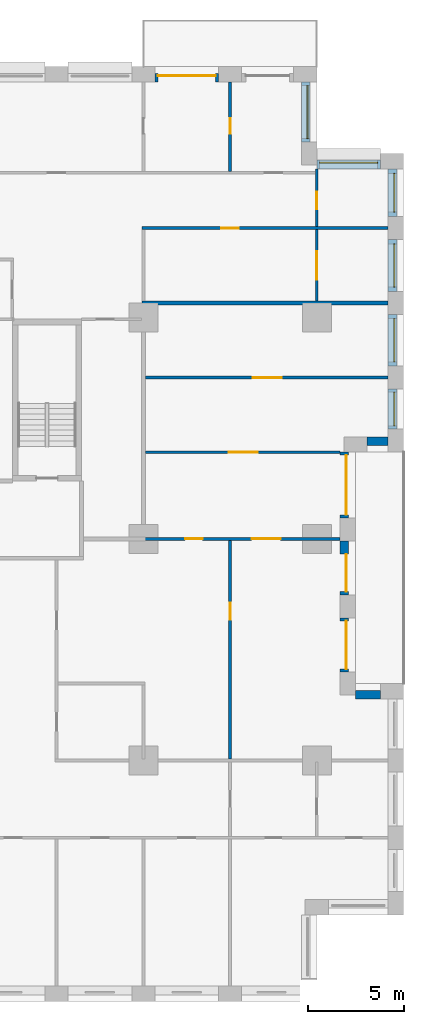
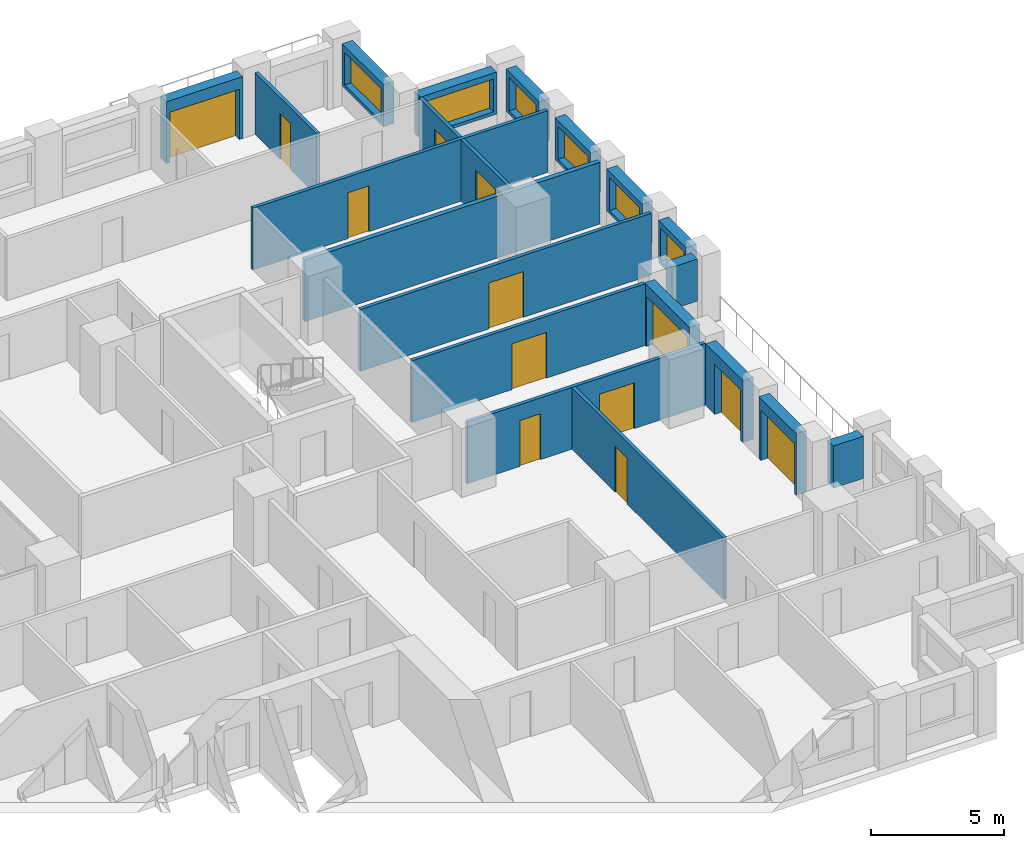
# One storey, part 17 of 20: 21 walls, 13 doors, 6 windows, 19 openings.
"""IFC4 building model written with IfcOpenShell, lengths in metres."""

from ifc_helpers import new_model, si_unit, direction, frame, frame_2d, origin, place, context, subcontext, project, spatial, rectangle, extrude, material, layer, layer_set, type_object, element, fill, save


model = new_model("IFC4")

# Units and contexts
model_context = context("Model", 3, precision=1e-05, world=origin(), true_north=direction((0.0, 1.0)))
body_context = subcontext(model_context, "Body", "Model", "MODEL_VIEW")
ifc_project = project(units=[si_unit("LENGTHUNIT", "METRE"), si_unit("AREAUNIT", "SQUARE_METRE"), si_unit("VOLUMEUNIT", "CUBIC_METRE"), si_unit("PLANEANGLEUNIT", "RADIAN"), si_unit("MASSUNIT", "GRAM", prefix="KILO")], contexts=[model_context])

# Site, building, storey
site_placement = place(None, origin())
site = spatial("IfcSite", under=ifc_project, at=site_placement, CompositionType="ELEMENT")
building_placement = place(site_placement, origin())
building = spatial("IfcBuilding", under=site, at=building_placement, Name="Brigalow Station Residences", CompositionType="ELEMENT")
storey_placement = place(building_placement, frame((0.0, 0.0, 60.449951171875)))
storey = spatial("IfcBuildingStorey", under=building, at=storey_placement, Name="L17", CompositionType="ELEMENT", Elevation=60.449951171875)

# Wall
ifc_material_1 = material(Name="Clay brick masonry", Category="masonry")
ifc_layer_1 = layer(ifc_material_1, 0.449951171875)
ifc_layer_set_1 = layer_set([ifc_layer_1], Name="BRICK INFILL WALL 450")
wall_type_1 = type_object("IfcWallType", Name="BRICK INFILL WALL 450", PredefinedType="SOLIDWALL", material=ifc_layer_set_1)
wall_1_placement = place(storey_placement, frame((75.300048828125, 15.925048828125, 0.900146484375), z_axis=(0.0, 0.0, 1.0), x_axis=(-1.0, 0.0, 0.0)))
element("IfcWall", 1, at=wall_1_placement, inside=storey, type_object=wall_type_1, Name="L17/ewall/W-L17-14", PredefinedType="SOLIDWALL", context=body_context, shape_type="SweptSolid", body=[
    extrude(rectangle(XDim=1.300048828125, YDim=0.449951171875, at=frame_2d((0.64990234375, 0.0))), origin(), (0.0, 0.0, 1.0), 1.929931640625),
])

# Wall, opening, door
wall_2_placement = place(storey_placement, frame((73.425048828125, 17.10009765625, 0.0), z_axis=(0.0, 0.0, 1.0), x_axis=(0.0, 1.0, 0.0)))
wall_2 = element("IfcWall", 2, at=wall_2_placement, inside=storey, type_object=wall_type_1, Name="L17/ewall/W-L17-15", PredefinedType="SOLIDWALL", context=body_context, shape_type="SweptSolid", body=[
    extrude(rectangle(XDim=2.7998046875, YDim=0.449951171875, at=frame_2d((1.39990234375, 0.0))), origin(), (0.0, 0.0, 1.0), 2.830078125),
])
opening_1_placement = place(wall_2_placement, frame((0.14990234375, 0.0, 0.0)))
opening_1 = element("IfcOpeningElement", 3, at=opening_1_placement, cuts=wall_2, Name="Opening D-B2500", PredefinedType="OPENING", context=body_context, shape_type="SweptSolid", body=[
    extrude(rectangle(XDim=2.5, YDim=2.300048828125, at=frame_2d((1.25, 1.14990234375))), frame((0.0, 0.23486328125, 0.0), z_axis=(0.0, -1.0, 0.0), x_axis=(1.0, 0.0, 0.0)), (0.0, 0.0, 1.0), 0.469970703125),
])
ifc_material_2 = material(Name="Anodised aluminium frame with double glazing", Category="aluminium")
door_type_1 = type_object("IfcDoorType", Name="BALCONY SLIDING DOOR 2500x2300", OperationType="SLIDING_TO_LEFT", PredefinedType="DOOR", material=ifc_material_2)
door_1_placement = place(opening_1_placement, origin())
door_1 = element("IfcDoor", 4, at=door_1_placement, inside=storey, type_object=door_type_1, Name="L17/balcony-door/W-L17-15", OperationType="SLIDING_TO_LEFT", OverallHeight=2.300048828125, OverallWidth=2.5, PredefinedType="DOOR", context=body_context, shape_type="SweptSolid", body=[
    extrude(rectangle(XDim=2.5, YDim=2.300048828125, at=frame_2d((1.25, 1.14990234375))), frame((0.0, -0.06982421875, 0.0), z_axis=(0.0, -1.0, 0.0), x_axis=(1.0, 0.0, 0.0)), (0.0, 0.0, 1.0), 0.050048828125),
])
fill(opening_1, door_1)

wall_3_placement = place(storey_placement, frame((73.425048828125, 21.10009765625, 0.0), z_axis=(0.0, 0.0, 1.0), x_axis=(0.0, 1.0, 0.0)))
wall_3 = element("IfcWall", 5, at=wall_3_placement, inside=storey, type_object=wall_type_1, Name="L17/ewall/W-L17-16", PredefinedType="SOLIDWALL", context=body_context, shape_type="SweptSolid", body=[
    extrude(rectangle(XDim=2.7998046875, YDim=0.449951171875, at=frame_2d((1.39990234375, 0.0))), origin(), (0.0, 0.0, 1.0), 2.830078125),
])
opening_2_placement = place(wall_3_placement, frame((0.1650390625, 0.0, 0.0)))
opening_2 = element("IfcOpeningElement", 6, at=opening_2_placement, cuts=wall_3, Name="Opening D-B1950", PredefinedType="OPENING", context=body_context, shape_type="SweptSolid", body=[
    extrude(rectangle(XDim=1.949951171875, YDim=2.300048828125, at=frame_2d((0.97509765625, 1.14990234375))), frame((0.0, 0.23486328125, 0.0), z_axis=(0.0, -1.0, 0.0), x_axis=(1.0, 0.0, 0.0)), (0.0, 0.0, 1.0), 0.469970703125),
])
ifc_material_3 = material(Name="Anodised aluminium frame with double glazing", Category="aluminium")
door_type_2 = type_object("IfcDoorType", Name="BALCONY SLIDING DOOR 1950x2300", OperationType="SLIDING_TO_LEFT", PredefinedType="DOOR", material=ifc_material_3)
door_2_placement = place(opening_2_placement, origin())
door_2 = element("IfcDoor", 7, at=door_2_placement, inside=storey, type_object=door_type_2, Name="L17/balcony-door/W-L17-16", OperationType="SLIDING_TO_LEFT", OverallHeight=2.300048828125, OverallWidth=1.949951171875, PredefinedType="DOOR", context=body_context, shape_type="SweptSolid", body=[
    extrude(rectangle(XDim=1.949951171875, YDim=2.300048828125, at=frame_2d((0.97509765625, 1.14990234375))), frame((0.0, -0.06982421875, 0.0), z_axis=(0.0, -1.0, 0.0), x_axis=(1.0, 0.0, 0.0)), (0.0, 0.0, 1.0), 0.050048828125),
])
fill(opening_2, door_2)

wall_4_placement = place(storey_placement, frame((73.425048828125, 25.10009765625, 0.0), z_axis=(0.0, 0.0, 1.0), x_axis=(0.0, 1.0, 0.0)))
wall_4 = element("IfcWall", 8, at=wall_4_placement, inside=storey, type_object=wall_type_1, Name="L17/ewall/W-L17-17", PredefinedType="SOLIDWALL", context=body_context, shape_type="SweptSolid", body=[
    extrude(rectangle(XDim=3.39990234375, YDim=0.449951171875, at=frame_2d((1.699951171875, 0.0))), origin(), (0.0, 0.0, 1.0), 2.830078125),
])
opening_3_placement = place(wall_4_placement, frame((0.14990234375, 0.0, 0.0)))
opening_3 = element("IfcOpeningElement", 9, at=opening_3_placement, cuts=wall_4, Name="Opening D-B3100", PredefinedType="OPENING", context=body_context, shape_type="SweptSolid", body=[
    extrude(rectangle(XDim=3.10009765625, YDim=2.300048828125, at=frame_2d((1.550048828125, 1.14990234375))), frame((0.0, 0.23486328125, 0.0), z_axis=(0.0, -1.0, 0.0), x_axis=(1.0, 0.0, 0.0)), (0.0, 0.0, 1.0), 0.469970703125),
])
ifc_material_4 = material(Name="Anodised aluminium frame with double glazing", Category="aluminium")
door_type_3 = type_object("IfcDoorType", Name="BALCONY SLIDING DOOR 3100x2300", OperationType="SLIDING_TO_LEFT", PredefinedType="DOOR", material=ifc_material_4)
door_3_placement = place(opening_3_placement, origin())
door_3 = element("IfcDoor", 10, at=door_3_placement, inside=storey, type_object=door_type_3, Name="L17/balcony-door/W-L17-17", OperationType="SLIDING_TO_LEFT", OverallHeight=2.300048828125, OverallWidth=3.10009765625, PredefinedType="DOOR", context=body_context, shape_type="SweptSolid", body=[
    extrude(rectangle(XDim=3.10009765625, YDim=2.300048828125, at=frame_2d((1.550048828125, 1.14990234375))), frame((0.0, -0.06982421875, 0.0), z_axis=(0.0, -1.0, 0.0), x_axis=(1.0, 0.0, 0.0)), (0.0, 0.0, 1.0), 0.050048828125),
])
fill(opening_3, door_3)

# Wall
wall_5_placement = place(storey_placement, frame((74.60009765625, 29.074951171875, 0.900146484375), z_axis=(0.0, 0.0, 1.0), x_axis=(1.0, 0.0, 0.0)))
element("IfcWall", 11, at=wall_5_placement, inside=storey, type_object=wall_type_1, Name="L17/ewall/W-L17-18", PredefinedType="SOLIDWALL", context=body_context, shape_type="SweptSolid", body=[
    extrude(rectangle(XDim=1.099853515625, YDim=0.449951171875, at=frame_2d((0.5498046875, 0.0))), origin(), (0.0, 0.0, 1.0), 1.929931640625),
])

# Wall, opening, window
wall_6_placement = place(storey_placement, frame((75.925048828125, 29.699951171875, 0.900146484375), z_axis=(0.0, 0.0, 1.0), x_axis=(0.0, 1.0, 0.0)))
wall_6 = element("IfcWall", 12, at=wall_6_placement, inside=storey, type_object=wall_type_1, Name="L17/ewall/W-L17-19", PredefinedType="SOLIDWALL", context=body_context, shape_type="SweptSolid", body=[
    extrude(rectangle(XDim=2.074951171875, YDim=0.449951171875, at=frame_2d((1.03759765625, 0.0))), origin(), (0.0, 0.0, 1.0), 1.929931640625),
])
opening_4_placement = place(wall_6_placement, frame((0.16259765625, 0.0, 0.14990234375)))
opening_4 = element("IfcOpeningElement", 13, at=opening_4_placement, cuts=wall_6, Name="Opening WT-4", PredefinedType="OPENING", context=body_context, shape_type="SweptSolid", body=[
    extrude(rectangle(XDim=1.75, YDim=1.5, at=frame_2d((0.875, 0.75))), frame((0.0, 0.23486328125, 0.0), z_axis=(0.0, -1.0, 0.0), x_axis=(1.0, 0.0, 0.0)), (0.0, 0.0, 1.0), 0.469970703125),
])
ifc_material_5 = material(Name="Anodised aluminium frame with double glazing", Category="aluminium")
window_type_1 = type_object("IfcWindowType", Name="WINDOW 1750x1500", PartitioningType="SINGLE_PANEL", PredefinedType="WINDOW", material=ifc_material_5)
window_1_placement = place(opening_4_placement, origin())
window_1 = element("IfcWindow", 14, at=window_1_placement, inside=storey, type_object=window_type_1, Name="L17/window/W-L17-19", OverallHeight=1.5, OverallWidth=1.75, PartitioningType="SINGLE_PANEL", PredefinedType="WINDOW", context=body_context, shape_type="SweptSolid", body=[
    extrude(rectangle(XDim=1.75, YDim=1.5, at=frame_2d((0.875, 0.75))), frame((0.0, -0.06494140625, 0.0), z_axis=(0.0, -1.0, 0.0), x_axis=(1.0, 0.0, 0.0)), (0.0, 0.0, 1.0), 0.06005859375),
])
fill(opening_4, window_1)

wall_7_placement = place(storey_placement, frame((75.925048828125, 32.97509765625, 0.900146484375), z_axis=(0.0, 0.0, 1.0), x_axis=(0.0, 1.0, 0.0)))
wall_7 = element("IfcWall", 15, at=wall_7_placement, inside=storey, type_object=wall_type_1, Name="L17/ewall/W-L17-20", PredefinedType="SOLIDWALL", context=body_context, shape_type="SweptSolid", body=[
    extrude(rectangle(XDim=2.6748046875, YDim=0.449951171875, at=frame_2d((1.33740234375, 0.0))), origin(), (0.0, 0.0, 1.0), 1.929931640625),
])
opening_5_placement = place(wall_7_placement, frame((0.21240234375, 0.0, 0.14990234375)))
opening_5 = element("IfcOpeningElement", 16, at=opening_5_placement, cuts=wall_7, Name="Opening WT-6", PredefinedType="OPENING", context=body_context, shape_type="SweptSolid", body=[
    extrude(rectangle(XDim=2.25, YDim=1.5, at=frame_2d((1.125, 0.75))), frame((0.0, 0.23486328125, 0.0), z_axis=(0.0, -1.0, 0.0), x_axis=(1.0, 0.0, 0.0)), (0.0, 0.0, 1.0), 0.469970703125),
])
ifc_material_6 = material(Name="Anodised aluminium frame with double glazing", Category="aluminium")
window_type_2 = type_object("IfcWindowType", Name="WINDOW 2250x1500", PartitioningType="SINGLE_PANEL", PredefinedType="WINDOW", material=ifc_material_6)
window_2_placement = place(opening_5_placement, origin())
window_2 = element("IfcWindow", 17, at=window_2_placement, inside=storey, type_object=window_type_2, Name="L17/window/W-L17-20", OverallHeight=1.5, OverallWidth=2.25, PartitioningType="SINGLE_PANEL", PredefinedType="WINDOW", context=body_context, shape_type="SweptSolid", body=[
    extrude(rectangle(XDim=2.25, YDim=1.5, at=frame_2d((1.125, 0.75))), frame((0.0, -0.06494140625, 0.0), z_axis=(0.0, -1.0, 0.0), x_axis=(1.0, 0.0, 0.0)), (0.0, 0.0, 1.0), 0.06005859375),
])
fill(opening_5, window_2)

wall_8_placement = place(storey_placement, frame((75.925048828125, 36.85009765625, 0.900146484375), z_axis=(0.0, 0.0, 1.0), x_axis=(0.0, 1.0, 0.0)))
wall_8 = element("IfcWall", 18, at=wall_8_placement, inside=storey, type_object=wall_type_1, Name="L17/ewall/W-L17-21", PredefinedType="SOLIDWALL", context=body_context, shape_type="SweptSolid", body=[
    extrude(rectangle(XDim=2.6748046875, YDim=0.449951171875, at=frame_2d((1.33740234375, 0.0))), origin(), (0.0, 0.0, 1.0), 1.929931640625),
])
opening_6_placement = place(wall_8_placement, frame((0.21240234375, 0.0, 0.14990234375)))
opening_6 = element("IfcOpeningElement", 19, at=opening_6_placement, cuts=wall_8, Name="Opening WT-6", PredefinedType="OPENING", context=body_context, shape_type="SweptSolid", body=[
    extrude(rectangle(XDim=2.25, YDim=1.5, at=frame_2d((1.125, 0.75))), frame((0.0, 0.23486328125, 0.0), z_axis=(0.0, -1.0, 0.0), x_axis=(1.0, 0.0, 0.0)), (0.0, 0.0, 1.0), 0.469970703125),
])
window_3_placement = place(opening_6_placement, origin())
window_3 = element("IfcWindow", 20, at=window_3_placement, inside=storey, type_object=window_type_2, Name="L17/window/W-L17-21", OverallHeight=1.5, OverallWidth=2.25, PartitioningType="SINGLE_PANEL", PredefinedType="WINDOW", context=body_context, shape_type="SweptSolid", body=[
    extrude(rectangle(XDim=2.25, YDim=1.5, at=frame_2d((1.125, 0.75))), frame((0.0, -0.06494140625, 0.0), z_axis=(0.0, -1.0, 0.0), x_axis=(1.0, 0.0, 0.0)), (0.0, 0.0, 1.0), 0.06005859375),
])
fill(opening_6, window_3)

wall_9_placement = place(storey_placement, frame((75.925048828125, 40.72509765625, 0.900146484375), z_axis=(0.0, 0.0, 1.0), x_axis=(0.0, 1.0, 0.0)))
wall_9 = element("IfcWall", 21, at=wall_9_placement, inside=storey, type_object=wall_type_1, Name="L17/ewall/W-L17-22", PredefinedType="SOLIDWALL", context=body_context, shape_type="SweptSolid", body=[
    extrude(rectangle(XDim=2.474853515625, YDim=0.449951171875, at=frame_2d((1.2373046875, 0.0))), origin(), (0.0, 0.0, 1.0), 1.929931640625),
])
opening_7_placement = place(wall_9_placement, frame((0.237548828125, 0.0, 0.14990234375)))
opening_7 = element("IfcOpeningElement", 22, at=opening_7_placement, cuts=wall_9, Name="Opening WT-7", PredefinedType="OPENING", context=body_context, shape_type="SweptSolid", body=[
    extrude(rectangle(XDim=2.0, YDim=1.5, at=frame_2d((1.0, 0.75))), frame((0.0, 0.23486328125, 0.0), z_axis=(0.0, -1.0, 0.0), x_axis=(1.0, 0.0, 0.0)), (0.0, 0.0, 1.0), 0.469970703125),
])
ifc_material_7 = material(Name="Anodised aluminium frame with double glazing", Category="aluminium")
window_type_3 = type_object("IfcWindowType", Name="WINDOW 2000x1500", PartitioningType="SINGLE_PANEL", PredefinedType="WINDOW", material=ifc_material_7)
window_4_placement = place(opening_7_placement, origin())
window_4 = element("IfcWindow", 23, at=window_4_placement, inside=storey, type_object=window_type_3, Name="L17/window/W-L17-22", OverallHeight=1.5, OverallWidth=2.0, PartitioningType="SINGLE_PANEL", PredefinedType="WINDOW", context=body_context, shape_type="SweptSolid", body=[
    extrude(rectangle(XDim=2.0, YDim=1.5, at=frame_2d((1.0, 0.75))), frame((0.0, -0.06494140625, 0.0), z_axis=(0.0, -1.0, 0.0), x_axis=(1.0, 0.0, 0.0)), (0.0, 0.0, 1.0), 0.06005859375),
])
fill(opening_7, window_4)

wall_10_placement = place(storey_placement, frame((75.300048828125, 43.425048828125, 0.900146484375), z_axis=(0.0, 0.0, 1.0), x_axis=(-1.0, 0.0, 0.0)))
wall_10 = element("IfcWall", 24, at=wall_10_placement, inside=storey, type_object=wall_type_1, Name="L17/ewall/W-L17-23", PredefinedType="SOLIDWALL", context=body_context, shape_type="SweptSolid", body=[
    extrude(rectangle(XDim=3.300048828125, YDim=0.449951171875, at=frame_2d((1.64990234375, 0.0))), origin(), (0.0, 0.0, 1.0), 1.929931640625),
])
opening_8_placement = place(wall_10_placement, frame((0.14990234375, 0.0, 0.14990234375)))
opening_8 = element("IfcOpeningElement", 25, at=opening_8_placement, cuts=wall_10, Name="Opening WT-2", PredefinedType="OPENING", context=body_context, shape_type="SweptSolid", body=[
    extrude(rectangle(XDim=3.0, YDim=1.5, at=frame_2d((1.5, 0.75))), frame((0.0, 0.23486328125, 0.0), z_axis=(0.0, -1.0, 0.0), x_axis=(1.0, 0.0, 0.0)), (0.0, 0.0, 1.0), 0.469970703125),
])
ifc_material_8 = material(Name="Anodised aluminium frame with double glazing", Category="aluminium")
window_type_4 = type_object("IfcWindowType", Name="WINDOW 3000x1500", PartitioningType="SINGLE_PANEL", PredefinedType="WINDOW", material=ifc_material_8)
window_5_placement = place(opening_8_placement, origin())
window_5 = element("IfcWindow", 26, at=window_5_placement, inside=storey, type_object=window_type_4, Name="L17/window/W-L17-23", OverallHeight=1.5, OverallWidth=3.0, PartitioningType="SINGLE_PANEL", PredefinedType="WINDOW", context=body_context, shape_type="SweptSolid", body=[
    extrude(rectangle(XDim=3.0, YDim=1.5, at=frame_2d((1.5, 0.75))), frame((0.0, -0.06494140625, 0.0), z_axis=(0.0, -1.0, 0.0), x_axis=(1.0, 0.0, 0.0)), (0.0, 0.0, 1.0), 0.06005859375),
])
fill(opening_8, window_5)

wall_11_placement = place(storey_placement, frame((71.425048828125, 44.60009765625, 0.900146484375), z_axis=(0.0, 0.0, 1.0), x_axis=(0.0, 1.0, 0.0)))
wall_11 = element("IfcWall", 27, at=wall_11_placement, inside=storey, type_object=wall_type_1, Name="L17/ewall/W-L17-24", PredefinedType="SOLIDWALL", context=body_context, shape_type="SweptSolid", body=[
    extrude(rectangle(XDim=3.099853515625, YDim=0.449951171875, at=frame_2d((1.5498046875, 0.0))), origin(), (0.0, 0.0, 1.0), 1.929931640625),
])
opening_9_placement = place(wall_11_placement, frame((0.175048828125, 0.0, 0.14990234375)))
opening_9 = element("IfcOpeningElement", 28, at=opening_9_placement, cuts=wall_11, Name="Opening WT-3", PredefinedType="OPENING", context=body_context, shape_type="SweptSolid", body=[
    extrude(rectangle(XDim=2.75, YDim=1.5, at=frame_2d((1.375, 0.75))), frame((0.0, 0.23486328125, 0.0), z_axis=(0.0, -1.0, 0.0), x_axis=(1.0, 0.0, 0.0)), (0.0, 0.0, 1.0), 0.469970703125),
])
ifc_material_9 = material(Name="Anodised aluminium frame with double glazing", Category="aluminium")
window_type_5 = type_object("IfcWindowType", Name="WINDOW 2750x1500", PartitioningType="SINGLE_PANEL", PredefinedType="WINDOW", material=ifc_material_9)
window_6_placement = place(opening_9_placement, origin())
window_6 = element("IfcWindow", 29, at=window_6_placement, inside=storey, type_object=window_type_5, Name="L17/window/W-L17-24", OverallHeight=1.5, OverallWidth=2.75, PartitioningType="SINGLE_PANEL", PredefinedType="WINDOW", context=body_context, shape_type="SweptSolid", body=[
    extrude(rectangle(XDim=2.75, YDim=1.5, at=frame_2d((1.375, 0.75))), frame((0.0, -0.06494140625, 0.0), z_axis=(0.0, -1.0, 0.0), x_axis=(1.0, 0.0, 0.0)), (0.0, 0.0, 1.0), 0.06005859375),
])
fill(opening_9, window_6)

# Wall, opening, door
wall_12_placement = place(storey_placement, frame((66.89990234375, 47.925048828125, 0.0), z_axis=(0.0, 0.0, 1.0), x_axis=(-1.0, 0.0, 0.0)))
wall_12 = element("IfcWall", 30, at=wall_12_placement, inside=storey, type_object=wall_type_1, Name="L17/ewall/W-L17-26", PredefinedType="SOLIDWALL", context=body_context, shape_type="SweptSolid", body=[
    extrude(rectangle(XDim=3.2998046875, YDim=0.449951171875, at=frame_2d((1.64990234375, 0.0))), origin(), (0.0, 0.0, 1.0), 2.830078125),
])
opening_10_placement = place(wall_12_placement, frame((0.14990234375, 0.0, 0.0)))
opening_10 = element("IfcOpeningElement", 31, at=opening_10_placement, cuts=wall_12, Name="Opening D-B3000", PredefinedType="OPENING", context=body_context, shape_type="SweptSolid", body=[
    extrude(rectangle(XDim=3.0, YDim=2.300048828125, at=frame_2d((1.5, 1.14990234375))), frame((0.0, 0.23486328125, 0.0), z_axis=(0.0, -1.0, 0.0), x_axis=(1.0, 0.0, 0.0)), (0.0, 0.0, 1.0), 0.469970703125),
])
ifc_material_10 = material(Name="Anodised aluminium frame with double glazing", Category="aluminium")
door_type_4 = type_object("IfcDoorType", Name="BALCONY SLIDING DOOR 3000x2300", OperationType="SLIDING_TO_LEFT", PredefinedType="DOOR", material=ifc_material_10)
door_4_placement = place(opening_10_placement, origin())
door_4 = element("IfcDoor", 32, at=door_4_placement, inside=storey, type_object=door_type_4, Name="L17/balcony-door/W-L17-26", OperationType="SLIDING_TO_LEFT", OverallHeight=2.300048828125, OverallWidth=3.0, PredefinedType="DOOR", context=body_context, shape_type="SweptSolid", body=[
    extrude(rectangle(XDim=3.0, YDim=2.300048828125, at=frame_2d((1.5, 1.14990234375))), frame((0.0, -0.06982421875, 0.0), z_axis=(0.0, -1.0, 0.0), x_axis=(1.0, 0.0, 0.0)), (0.0, 0.0, 1.0), 0.050048828125),
])
fill(opening_10, door_4)

# Wall, openings, doors
ifc_material_11 = material(Name="Plasterboard on steel stud partition", Category="steel")
ifc_layer_2 = layer(ifc_material_11, 0.14990234375)
ifc_layer_set_2 = layer_set([ifc_layer_2], Name="FLAT PARTITION 150")
wall_type_2 = type_object("IfcWallType", Name="FLAT PARTITION 150", PredefinedType="PARTITIONING", material=ifc_layer_set_2)
wall_13_placement = place(storey_placement, frame((62.89990234375, 24.0, 0.0), z_axis=(0.0, 0.0, 1.0), x_axis=(1.0, 0.0, 0.0)))
wall_13 = element("IfcWall", 33, at=wall_13_placement, inside=storey, type_object=wall_type_2, Name="PW-1F03", PredefinedType="PARTITIONING", context=body_context, shape_type="SweptSolid", body=[
    extrude(rectangle(XDim=10.300048828125, YDim=0.14990234375, at=frame_2d((5.14990234375, 0.0))), origin(), (0.0, 0.0, 1.0), 2.830078125),
])
opening_11_placement = place(wall_13_placement, frame((2.27490234375, 0.0, 0.0)))
opening_11 = element("IfcOpeningElement", 34, at=opening_11_placement, cuts=wall_13, Name="Opening D-1F57", PredefinedType="OPENING", context=body_context, shape_type="SweptSolid", body=[
    extrude(rectangle(XDim=0.89990234375, YDim=2.10009765625, at=frame_2d((0.449951171875, 1.050048828125))), frame((0.0, 0.0849609375, 0.0), z_axis=(0.0, -1.0, 0.0), x_axis=(1.0, 0.0, 0.0)), (0.0, 0.0, 1.0), 0.169921875),
])
opening_12_placement = place(wall_13_placement, frame((5.72509765625, 0.0, 0.0)))
opening_12 = element("IfcOpeningElement", 35, at=opening_12_placement, cuts=wall_13, Name="Opening D-1F58", PredefinedType="OPENING", context=body_context, shape_type="SweptSolid", body=[
    extrude(rectangle(XDim=1.5, YDim=2.10009765625, at=frame_2d((0.75, 1.050048828125))), frame((0.0, 0.0849609375, 0.0), z_axis=(0.0, -1.0, 0.0), x_axis=(1.0, 0.0, 0.0)), (0.0, 0.0, 1.0), 0.169921875),
])
ifc_material_12 = material(Name="Solid-core timber door leaf", Category="wood")
door_type_5 = type_object("IfcDoorType", Name="INTERNAL DOOR 900 x 2100", OperationType="SINGLE_SWING_LEFT", PredefinedType="DOOR", material=ifc_material_12)
door_5_placement = place(opening_11_placement, origin())
door_5 = element("IfcDoor", 36, at=door_5_placement, inside=storey, type_object=door_type_5, Name="D-1F57", OperationType="SINGLE_SWING_LEFT", OverallHeight=2.10009765625, OverallWidth=0.89990234375, PredefinedType="DOOR", context=body_context, shape_type="SweptSolid", body=[
    extrude(rectangle(XDim=0.89990234375, YDim=2.10009765625, at=frame_2d((0.449951171875, 1.050048828125))), frame((0.0, 0.02490234375, 0.0), z_axis=(0.0, -1.0, 0.0), x_axis=(1.0, 0.0, 0.0)), (0.0, 0.0, 1.0), 0.050048828125),
])
fill(opening_11, door_5)
ifc_material_13 = material(Name="Solid-core timber door leaf", Category="wood")
door_type_6 = type_object("IfcDoorType", Name="INTERNAL DOUBLE DOOR 1500 x 2100", OperationType="DOUBLE_DOOR_SINGLE_SWING", PredefinedType="DOOR", material=ifc_material_13)
door_6_placement = place(opening_12_placement, origin())
door_6 = element("IfcDoor", 37, at=door_6_placement, inside=storey, type_object=door_type_6, Name="D-1F58", OperationType="DOUBLE_DOOR_SINGLE_SWING", OverallHeight=2.10009765625, OverallWidth=1.5, PredefinedType="DOOR", context=body_context, shape_type="SweptSolid", body=[
    extrude(rectangle(XDim=1.5, YDim=2.10009765625, at=frame_2d((0.75, 1.050048828125))), frame((0.0, 0.02490234375, 0.0), z_axis=(0.0, -1.0, 0.0), x_axis=(1.0, 0.0, 0.0)), (0.0, 0.0, 1.0), 0.050048828125),
])
fill(opening_12, door_6)

# Wall, opening, door
wall_14_placement = place(storey_placement, frame((63.10009765625, 32.375, 0.0), z_axis=(0.0, 0.0, 1.0), x_axis=(1.0, 0.0, 0.0)))
wall_14 = element("IfcWall", 38, at=wall_14_placement, inside=storey, type_object=wall_type_2, Name="PW-1F19", PredefinedType="PARTITIONING", context=body_context, shape_type="SweptSolid", body=[
    extrude(rectangle(XDim=12.599853515625, YDim=0.14990234375, at=frame_2d((6.2998046875, 0.0))), origin(), (0.0, 0.0, 1.0), 2.830078125),
])
opening_13_placement = place(wall_14_placement, frame((5.574951171875, 0.0, 0.0)))
opening_13 = element("IfcOpeningElement", 39, at=opening_13_placement, cuts=wall_14, Name="Opening D-1F61", PredefinedType="OPENING", context=body_context, shape_type="SweptSolid", body=[
    extrude(rectangle(XDim=1.5, YDim=2.10009765625, at=frame_2d((0.75, 1.050048828125))), frame((0.0, 0.0849609375, 0.0), z_axis=(0.0, -1.0, 0.0), x_axis=(1.0, 0.0, 0.0)), (0.0, 0.0, 1.0), 0.169921875),
])
door_7_placement = place(opening_13_placement, frame((1.5, 0.0, 0.0), z_axis=(0.0, 0.0, 1.0), x_axis=(-1.0, 0.0, 0.0)))
door_7 = element("IfcDoor", 40, at=door_7_placement, inside=storey, type_object=door_type_6, Name="D-1F61", OperationType="DOUBLE_DOOR_SINGLE_SWING", OverallHeight=2.10009765625, OverallWidth=1.5, PredefinedType="DOOR", context=body_context, shape_type="SweptSolid", body=[
    extrude(rectangle(XDim=1.5, YDim=2.10009765625, at=frame_2d((0.75, 1.050048828125))), frame((0.0, 0.02490234375, 0.0), z_axis=(0.0, -1.0, 0.0), x_axis=(1.0, 0.0, 0.0)), (0.0, 0.0, 1.0), 0.050048828125),
])
fill(opening_13, door_7)

wall_15_placement = place(storey_placement, frame((62.925048828125, 40.125, 0.0), z_axis=(0.0, 0.0, 1.0), x_axis=(1.0, 0.0, 0.0)))
wall_15 = element("IfcWall", 41, at=wall_15_placement, inside=storey, type_object=wall_type_2, Name="PW-1F31", PredefinedType="PARTITIONING", context=body_context, shape_type="SweptSolid", body=[
    extrude(rectangle(XDim=12.77490234375, YDim=0.14990234375, at=frame_2d((6.387451171875, 0.0))), origin(), (0.0, 0.0, 1.0), 2.830078125),
])
opening_14_placement = place(wall_15_placement, frame((4.125, 0.0, 0.0)))
opening_14 = element("IfcOpeningElement", 42, at=opening_14_placement, cuts=wall_15, Name="Opening D-1F45", PredefinedType="OPENING", context=body_context, shape_type="SweptSolid", body=[
    extrude(rectangle(XDim=0.89990234375, YDim=2.10009765625, at=frame_2d((0.449951171875, 1.050048828125))), frame((0.0, 0.0849609375, 0.0), z_axis=(0.0, -1.0, 0.0), x_axis=(1.0, 0.0, 0.0)), (0.0, 0.0, 1.0), 0.169921875),
])
door_8_placement = place(opening_14_placement, frame((0.89990234375, 0.0, 0.0), z_axis=(0.0, 0.0, 1.0), x_axis=(-1.0, 0.0, 0.0)))
door_8 = element("IfcDoor", 43, at=door_8_placement, inside=storey, type_object=door_type_5, Name="D-1F45", OperationType="SINGLE_SWING_RIGHT", OverallHeight=2.10009765625, OverallWidth=0.89990234375, PredefinedType="DOOR", context=body_context, shape_type="SweptSolid", body=[
    extrude(rectangle(XDim=0.89990234375, YDim=2.10009765625, at=frame_2d((0.449951171875, 1.050048828125))), frame((0.0, 0.02490234375, 0.0), z_axis=(0.0, -1.0, 0.0), x_axis=(1.0, 0.0, 0.0)), (0.0, 0.0, 1.0), 0.050048828125),
])
fill(opening_14, door_8)

wall_16_placement = place(storey_placement, frame((63.10009765625, 28.5, 0.0), z_axis=(0.0, 0.0, 1.0), x_axis=(1.0, 0.0, 0.0)))
wall_16 = element("IfcWall", 44, at=wall_16_placement, inside=storey, type_object=wall_type_2, Name="PW-1F36", PredefinedType="PARTITIONING", context=body_context, shape_type="SweptSolid", body=[
    extrude(rectangle(XDim=10.099853515625, YDim=0.14990234375, at=frame_2d((5.0498046875, 0.0))), origin(), (0.0, 0.0, 1.0), 2.830078125),
])
opening_15_placement = place(wall_16_placement, frame((4.324951171875, 0.0, 0.0)))
opening_15 = element("IfcOpeningElement", 45, at=opening_15_placement, cuts=wall_16, Name="Opening D-1F56", PredefinedType="OPENING", context=body_context, shape_type="SweptSolid", body=[
    extrude(rectangle(XDim=1.5, YDim=2.10009765625, at=frame_2d((0.75, 1.050048828125))), frame((0.0, 0.0849609375, 0.0), z_axis=(0.0, -1.0, 0.0), x_axis=(1.0, 0.0, 0.0)), (0.0, 0.0, 1.0), 0.169921875),
])
door_9_placement = place(opening_15_placement, frame((1.5, 0.0, 0.0), z_axis=(0.0, 0.0, 1.0), x_axis=(-1.0, 0.0, 0.0)))
door_9 = element("IfcDoor", 46, at=door_9_placement, inside=storey, type_object=door_type_6, Name="D-1F56", OperationType="DOUBLE_DOOR_SINGLE_SWING", OverallHeight=2.10009765625, OverallWidth=1.5, PredefinedType="DOOR", context=body_context, shape_type="SweptSolid", body=[
    extrude(rectangle(XDim=1.5, YDim=2.10009765625, at=frame_2d((0.75, 1.050048828125))), frame((0.0, 0.02490234375, 0.0), z_axis=(0.0, -1.0, 0.0), x_axis=(1.0, 0.0, 0.0)), (0.0, 0.0, 1.0), 0.050048828125),
])
fill(opening_15, door_9)

wall_17_placement = place(storey_placement, frame((72.0, 36.35009765625, 0.0), z_axis=(0.0, 0.0, 1.0), x_axis=(0.0, 1.0, 0.0)))
wall_17 = element("IfcWall", 47, at=wall_17_placement, inside=storey, type_object=wall_type_2, Name="PW-1F76", PredefinedType="PARTITIONING", context=body_context, shape_type="SweptSolid", body=[
    extrude(rectangle(XDim=3.699951171875, YDim=0.14990234375, at=frame_2d((1.85009765625, 0.0))), origin(), (0.0, 0.0, 1.0), 2.830078125),
])
opening_16_placement = place(wall_17_placement, frame((1.087890625, 0.0, 0.0)))
opening_16 = element("IfcOpeningElement", 48, at=opening_16_placement, cuts=wall_17, Name="Opening D-1F50", PredefinedType="OPENING", context=body_context, shape_type="SweptSolid", body=[
    extrude(rectangle(XDim=1.5, YDim=2.10009765625, at=frame_2d((0.75, 1.050048828125))), frame((0.0, 0.0849609375, 0.0), z_axis=(0.0, -1.0, 0.0), x_axis=(1.0, 0.0, 0.0)), (0.0, 0.0, 1.0), 0.169921875),
])
door_10_placement = place(opening_16_placement, frame((1.5, 0.0, 0.0), z_axis=(0.0, 0.0, 1.0), x_axis=(-1.0, 0.0, 0.0)))
door_10 = element("IfcDoor", 49, at=door_10_placement, inside=storey, type_object=door_type_6, Name="D-1F50", OperationType="DOUBLE_DOOR_SINGLE_SWING", OverallHeight=2.10009765625, OverallWidth=1.5, PredefinedType="DOOR", context=body_context, shape_type="SweptSolid", body=[
    extrude(rectangle(XDim=1.5, YDim=2.10009765625, at=frame_2d((0.75, 1.050048828125))), frame((0.0, 0.02490234375, 0.0), z_axis=(0.0, -1.0, 0.0), x_axis=(1.0, 0.0, 0.0)), (0.0, 0.0, 1.0), 0.050048828125),
])
fill(opening_16, door_10)

wall_18_placement = place(storey_placement, frame((72.0, 40.199951171875, 0.0), z_axis=(0.0, 0.0, 1.0), x_axis=(0.0, 1.0, 0.0)))
wall_18 = element("IfcWall", 50, at=wall_18_placement, inside=storey, type_object=wall_type_2, Name="PW-1F77", PredefinedType="PARTITIONING", context=body_context, shape_type="SweptSolid", body=[
    extrude(rectangle(XDim=3.0, YDim=0.14990234375, at=frame_2d((1.5, 0.0))), origin(), (0.0, 0.0, 1.0), 2.830078125),
])
opening_17_placement = place(wall_18_placement, frame((0.912109375, 0.0, 0.0)))
opening_17 = element("IfcOpeningElement", 51, at=opening_17_placement, cuts=wall_18, Name="Opening D-1F46", PredefinedType="OPENING", context=body_context, shape_type="SweptSolid", body=[
    extrude(rectangle(XDim=0.89990234375, YDim=2.10009765625, at=frame_2d((0.449951171875, 1.050048828125))), frame((0.0, 0.0849609375, 0.0), z_axis=(0.0, -1.0, 0.0), x_axis=(1.0, 0.0, 0.0)), (0.0, 0.0, 1.0), 0.169921875),
])
door_11_placement = place(opening_17_placement, frame((0.89990234375, 0.0, 0.0), z_axis=(0.0, 0.0, 1.0), x_axis=(-1.0, 0.0, 0.0)))
door_11 = element("IfcDoor", 52, at=door_11_placement, inside=storey, type_object=door_type_5, Name="D-1F46", OperationType="SINGLE_SWING_RIGHT", OverallHeight=2.10009765625, OverallWidth=0.89990234375, PredefinedType="DOOR", context=body_context, shape_type="SweptSolid", body=[
    extrude(rectangle(XDim=0.89990234375, YDim=2.10009765625, at=frame_2d((0.449951171875, 1.050048828125))), frame((0.0, 0.02490234375, 0.0), z_axis=(0.0, -1.0, 0.0), x_axis=(1.0, 0.0, 0.0)), (0.0, 0.0, 1.0), 0.050048828125),
])
fill(opening_17, door_11)

wall_19_placement = place(storey_placement, frame((67.5, 12.574951171875, 0.0), z_axis=(0.0, 0.0, 1.0), x_axis=(0.0, 1.0, 0.0)))
wall_19 = element("IfcWall", 53, at=wall_19_placement, inside=storey, type_object=wall_type_2, Name="PW-1F81", PredefinedType="PARTITIONING", context=body_context, shape_type="SweptSolid", body=[
    extrude(rectangle(XDim=11.35009765625, YDim=0.14990234375, at=frame_2d((5.675048828125, 0.0))), origin(), (0.0, 0.0, 1.0), 2.830078125),
])
opening_18_placement = place(wall_19_placement, frame((7.22509765625, 0.0, 0.0)))
opening_18 = element("IfcOpeningElement", 54, at=opening_18_placement, cuts=wall_19, Name="Opening D-1F64", PredefinedType="OPENING", context=body_context, shape_type="SweptSolid", body=[
    extrude(rectangle(XDim=0.89990234375, YDim=2.10009765625, at=frame_2d((0.449951171875, 1.050048828125))), frame((0.0, 0.0849609375, 0.0), z_axis=(0.0, -1.0, 0.0), x_axis=(1.0, 0.0, 0.0)), (0.0, 0.0, 1.0), 0.169921875),
])
door_12_placement = place(opening_18_placement, frame((0.89990234375, 0.0, 0.0), z_axis=(0.0, 0.0, 1.0), x_axis=(-1.0, 0.0, 0.0)))
door_12 = element("IfcDoor", 55, at=door_12_placement, inside=storey, type_object=door_type_5, Name="D-1F64", OperationType="SINGLE_SWING_LEFT", OverallHeight=2.10009765625, OverallWidth=0.89990234375, PredefinedType="DOOR", context=body_context, shape_type="SweptSolid", body=[
    extrude(rectangle(XDim=0.89990234375, YDim=2.10009765625, at=frame_2d((0.449951171875, 1.050048828125))), frame((0.0, 0.02490234375, 0.0), z_axis=(0.0, -1.0, 0.0), x_axis=(1.0, 0.0, 0.0)), (0.0, 0.0, 1.0), 0.050048828125),
])
fill(opening_18, door_12)

wall_20_placement = place(storey_placement, frame((67.5, 43.074951171875, 0.0), z_axis=(0.0, 0.0, 1.0), x_axis=(0.0, 1.0, 0.0)))
wall_20 = element("IfcWall", 56, at=wall_20_placement, inside=storey, type_object=wall_type_2, Name="PW-1F82", PredefinedType="PARTITIONING", context=body_context, shape_type="SweptSolid", body=[
    extrude(rectangle(XDim=4.625, YDim=0.14990234375, at=frame_2d((2.3125, 0.0))), origin(), (0.0, 0.0, 1.0), 2.830078125),
])
opening_19_placement = place(wall_20_placement, frame((1.949951171875, 0.0, 0.0)))
opening_19 = element("IfcOpeningElement", 57, at=opening_19_placement, cuts=wall_20, Name="Opening D-1F37", PredefinedType="OPENING", context=body_context, shape_type="SweptSolid", body=[
    extrude(rectangle(XDim=0.800048828125, YDim=2.10009765625, at=frame_2d((0.39990234375, 1.050048828125))), frame((0.0, 0.0849609375, 0.0), z_axis=(0.0, -1.0, 0.0), x_axis=(1.0, 0.0, 0.0)), (0.0, 0.0, 1.0), 0.169921875),
])
ifc_material_14 = material(Name="Solid-core timber door leaf", Category="wood")
door_type_7 = type_object("IfcDoorType", Name="INTERNAL DOOR 800 x 2100", OperationType="SINGLE_SWING_LEFT", PredefinedType="DOOR", material=ifc_material_14)
door_13_placement = place(opening_19_placement, origin())
door_13 = element("IfcDoor", 58, at=door_13_placement, inside=storey, type_object=door_type_7, Name="D-1F37", OperationType="SINGLE_SWING_RIGHT", OverallHeight=2.10009765625, OverallWidth=0.800048828125, PredefinedType="DOOR", context=body_context, shape_type="SweptSolid", body=[
    extrude(rectangle(XDim=0.800048828125, YDim=2.10009765625, at=frame_2d((0.39990234375, 1.050048828125))), frame((0.0, 0.02490234375, 0.0), z_axis=(0.0, -1.0, 0.0), x_axis=(1.0, 0.0, 0.0)), (0.0, 0.0, 1.0), 0.050048828125),
])
fill(opening_19, door_13)

# Wall
ifc_material_15 = material(Name="Plasterboard on steel stud partition", Category="steel")
ifc_layer_3 = layer(ifc_material_15, 0.199951171875)
ifc_layer_set_3 = layer_set([ifc_layer_3], Name="PARTY AND CORRIDOR WALL 200")
wall_type_3 = type_object("IfcWallType", Name="PARTY AND CORRIDOR WALL 200", PredefinedType="PARTITIONING", material=ifc_layer_set_3)
wall_21_placement = place(storey_placement, frame((62.925048828125, 36.25, 0.0), z_axis=(0.0, 0.0, 1.0), x_axis=(1.0, 0.0, 0.0)))
element("IfcWall", 59, at=wall_21_placement, inside=storey, type_object=wall_type_3, Name="PW-1F21", PredefinedType="PARTITIONING", context=body_context, shape_type="SweptSolid", body=[
    extrude(rectangle(XDim=12.77490234375, YDim=0.199951171875, at=frame_2d((6.387451171875, 0.0))), origin(), (0.0, 0.0, 1.0), 2.830078125),
])

save(model, "model.ifc")
